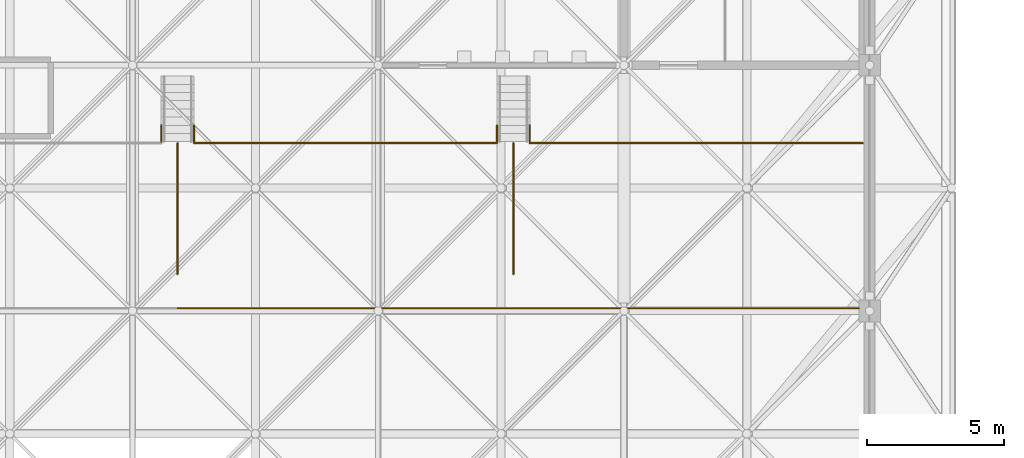
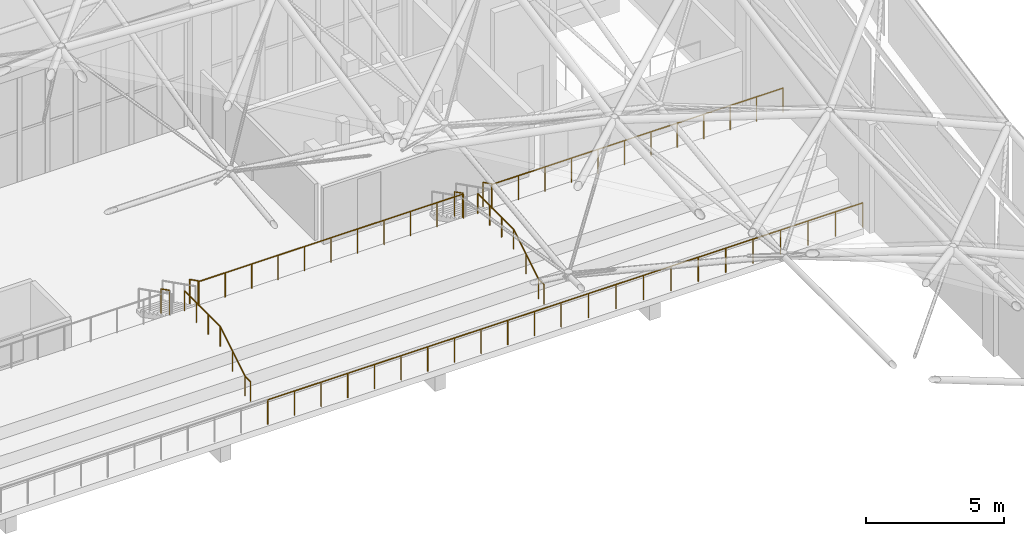
# One storey, part 420 of 437: 10 railings.
"""IFC4 building model written with IfcOpenShell, lengths in metres."""

from ifc_helpers import new_model, si_unit, direction, frame, origin, origin_2d, place, context, subcontext, project, spatial, circle, extrude, material, constituent, constituent_set, type_object, element, save


model = new_model("IFC4")

# Units and contexts
model_context = context("Model", 3, precision=1e-05, world=origin(), true_north=direction((0.0, 1.0)))
body_context = subcontext(model_context, "Body", "Model", "MODEL_VIEW")
ifc_project = project(units=[si_unit("LENGTHUNIT", "METRE"), si_unit("AREAUNIT", "SQUARE_METRE"), si_unit("VOLUMEUNIT", "CUBIC_METRE"), si_unit("PLANEANGLEUNIT", "RADIAN"), si_unit("MASSUNIT", "GRAM", prefix="KILO")], contexts=[model_context])

# Site, building, storey
site_placement = place(None, origin())
site = spatial("IfcSite", under=ifc_project, at=site_placement, CompositionType="ELEMENT")
building_placement = place(site_placement, origin())
building = spatial("IfcBuilding", under=site, at=building_placement, Name="Opaline Strait Convention Centre", CompositionType="ELEMENT")
storey_placement = place(building_placement, frame((0.0, 0.0, 11.5)))
storey = spatial("IfcBuildingStorey", under=building, at=storey_placement, Name="L02", CompositionType="ELEMENT", Elevation=11.5)

# Railings
ifc_material_1 = material(Name="Stainless steel 304", Category="steel")
railing_type_1 = type_object("IfcRailingType", Name="Aisle handrail 900", PredefinedType="HANDRAIL", material=ifc_material_1)
for number, where, name in (
    (1, (46.64990234375, 163.35009765625, 0.25), "PHR1 Upper Circle aisle 3 handrail"),
    (2, (58.949951171875, 163.35009765625, 0.25), "PHR1 Upper Circle aisle 4 handrail"),
):
    element("IfcRailing", number, at=place(storey_placement, frame(where)), inside=storey, type_object=railing_type_1, Name=name, PredefinedType="HANDRAIL", context=body_context, shape_type="SweptSolid", body=[
        extrude(circle(Radius=0.02392578125, at=origin_2d()), frame((0.0, 0.0, 0.8759765625), z_axis=(0.0, 1.0, 0.0), x_axis=(-1.0, 0.0, 0.0)), (0.0, 0.0, 1.0), 0.39990234375),
        extrude(circle(Radius=0.02392578125, at=origin_2d()), frame((0.0, 0.39990234375, 0.8759765625), z_axis=(0.0, 0.851174308656, 0.524883126309), x_axis=(-1.0, 0.0, 0.0)), (0.0, 0.0, 1.0), 1.05712890625),
        extrude(circle(Radius=0.02392578125, at=origin_2d()), frame((0.0, 1.2998046875, 1.4306640625), z_axis=(0.0, 0.849483496517, 0.527615190405), x_axis=(-1.0, 0.0, 0.0)), (0.0, 0.0, 1.0), 1.0595703125),
        extrude(circle(Radius=0.02392578125, at=origin_2d()), frame((0.0, 2.199951171875, 1.98974609375), z_axis=(0.0, 1.0, 0.0), x_axis=(-1.0, 0.0, 0.0)), (0.0, 0.0, 1.0), 2.599853515625),
        extrude(circle(Radius=0.02099609375, at=origin_2d()), origin(), (0.0, 0.0, 1.0), 0.851806640625),
        extrude(circle(Radius=0.02099609375, at=origin_2d()), frame((0.0, 0.39990234375, 0.0)), (0.0, 0.0, 1.0), 0.851806640625),
        extrude(circle(Radius=0.02099609375, at=origin_2d()), frame((0.0, 1.2998046875, 0.554931640625)), (0.0, 0.0, 1.0), 0.851806640625),
        extrude(circle(Radius=0.02099609375, at=origin_2d()), frame((0.0, 2.199951171875, 1.114013671875)), (0.0, 0.0, 1.0), 0.851806640625),
        extrude(circle(Radius=0.02099609375, at=origin_2d()), frame((0.0, 3.066650390625, 1.114013671875)), (0.0, 0.0, 1.0), 0.851806640625),
        extrude(circle(Radius=0.02099609375, at=origin_2d()), frame((0.0, 3.93310546875, 1.114013671875)), (0.0, 0.0, 1.0), 0.851806640625),
        extrude(circle(Radius=0.02099609375, at=origin_2d()), frame((0.0, 4.7998046875, 1.114013671875)), (0.0, 0.0, 1.0), 0.851806640625),
    ])
ifc_material_2 = material(Name="Steel Q355B", Category="steel")
ifc_constituent_1 = constituent(ifc_material_2, Name="Frame")
ifc_material_3 = material(Name="Safety glass, bonded interlayer", Category="glass")
ifc_constituent_2 = constituent(ifc_material_3, Name="Infill")
ifc_constituent_set = constituent_set(constituents=[ifc_constituent_1, ifc_constituent_2], Name="Steel Q355B, Safety glass, bonded interlayer")
railing_type_2 = type_object("IfcRailingType", Name="Seating guard 1100 steel and glass", PredefinedType="GUARDRAIL", material=ifc_constituent_set)
for number, where, name in (
    (3, (46.050048828125, 168.800048828125, 1.060791015625), "PGD1 Upper Circle entry stair 3 guard"),
    (4, (47.25, 168.800048828125, 1.060791015625), "PGD1 Upper Circle entry stair 3 guard"),
    (5, (58.35009765625, 168.800048828125, 1.060791015625), "PGD1 Upper Circle entry stair 4 guard"),
    (6, (59.550048828125, 168.800048828125, 1.060791015625), "PGD1 Upper Circle entry stair 4 guard"),
):
    element("IfcRailing", number, at=place(storey_placement, frame(where)), inside=storey, type_object=railing_type_2, Name=name, PredefinedType="GUARDRAIL", context=body_context, shape_type="SweptSolid", body=[
        extrude(circle(Radius=0.02392578125, at=origin_2d()), frame((0.0, 0.0, 1.076171875), z_axis=(0.0, -0.892531032756, 0.450985981564), x_axis=(1.0, 0.0, 0.0)), (0.0, 0.0, 1.0), 0.67236328125),
        extrude(circle(Radius=0.02099609375, at=origin_2d()), origin(), (0.0, 0.0, 1.0), 1.052001953125),
        extrude(circle(Radius=0.02099609375, at=origin_2d()), frame((0.0, -0.60009765625, 0.30322265625)), (0.0, 0.0, 1.0), 1.052001953125),
    ])
railing_1_placement = place(storey_placement, frame((47.25, 168.14990234375, 1.364013671875)))
element("IfcRailing", 7, at=railing_1_placement, inside=storey, type_object=railing_type_2, Name="PGD1 Upper Circle rear cross aisle guard 4", PredefinedType="GUARDRAIL", context=body_context, shape_type="SweptSolid", body=[
    extrude(circle(Radius=0.02392578125, at=origin_2d()), frame((0.0, 0.0, 1.076171875), z_axis=(1.0, 0.0, 0.0), x_axis=(0.0, 1.0, 0.0)), (0.0, 0.0, 1.0), 11.10009765625),
    extrude(circle(Radius=0.02099609375, at=origin_2d()), origin(), (0.0, 0.0, 1.0), 1.052001953125),
    extrude(circle(Radius=0.02099609375, at=origin_2d()), frame((1.110107421875, 0.0, 0.0)), (0.0, 0.0, 1.0), 1.052001953125),
    extrude(circle(Radius=0.02099609375, at=origin_2d()), frame((2.219970703125, 0.0, 0.0)), (0.0, 0.0, 1.0), 1.052001953125),
    extrude(circle(Radius=0.02099609375, at=origin_2d()), frame((3.330078125, 0.0, 0.0)), (0.0, 0.0, 1.0), 1.052001953125),
    extrude(circle(Radius=0.02099609375, at=origin_2d()), frame((4.43994140625, 0.0, 0.0)), (0.0, 0.0, 1.0), 1.052001953125),
    extrude(circle(Radius=0.02099609375, at=origin_2d()), frame((5.550048828125, 0.0, 0.0)), (0.0, 0.0, 1.0), 1.052001953125),
    extrude(circle(Radius=0.02099609375, at=origin_2d()), frame((6.66015625, 0.0, 0.0)), (0.0, 0.0, 1.0), 1.052001953125),
    extrude(circle(Radius=0.02099609375, at=origin_2d()), frame((7.77001953125, 0.0, 0.0)), (0.0, 0.0, 1.0), 1.052001953125),
    extrude(circle(Radius=0.02099609375, at=origin_2d()), frame((8.880126953125, 0.0, 0.0)), (0.0, 0.0, 1.0), 1.052001953125),
    extrude(circle(Radius=0.02099609375, at=origin_2d()), frame((9.989990234375, 0.0, 0.0)), (0.0, 0.0, 1.0), 1.052001953125),
    extrude(circle(Radius=0.02099609375, at=origin_2d()), frame((11.10009765625, 0.0, 0.0)), (0.0, 0.0, 1.0), 1.052001953125),
])
railing_2_placement = place(storey_placement, frame((59.550048828125, 168.14990234375, 1.364013671875)))
element("IfcRailing", 8, at=railing_2_placement, inside=storey, type_object=railing_type_2, Name="PGD1 Upper Circle rear cross aisle guard 5", PredefinedType="GUARDRAIL", context=body_context, shape_type="SweptSolid", body=[
    extrude(circle(Radius=0.02392578125, at=origin_2d()), frame((0.0, 0.0, 1.076171875), z_axis=(1.0, 0.0, 0.0), x_axis=(0.0, 1.0, 0.0)), (0.0, 0.0, 1.0), 12.199951171875),
    extrude(circle(Radius=0.02099609375, at=origin_2d()), origin(), (0.0, 0.0, 1.0), 1.052001953125),
    extrude(circle(Radius=0.02099609375, at=origin_2d()), frame((1.109130859375, 0.0, 0.0)), (0.0, 0.0, 1.0), 1.052001953125),
    extrude(circle(Radius=0.02099609375, at=origin_2d()), frame((2.21826171875, 0.0, 0.0)), (0.0, 0.0, 1.0), 1.052001953125),
    extrude(circle(Radius=0.02099609375, at=origin_2d()), frame((3.3271484375, 0.0, 0.0)), (0.0, 0.0, 1.0), 1.052001953125),
    extrude(circle(Radius=0.02099609375, at=origin_2d()), frame((4.436279296875, 0.0, 0.0)), (0.0, 0.0, 1.0), 1.052001953125),
    extrude(circle(Radius=0.02099609375, at=origin_2d()), frame((5.54541015625, 0.0, 0.0)), (0.0, 0.0, 1.0), 1.052001953125),
    extrude(circle(Radius=0.02099609375, at=origin_2d()), frame((6.654541015625, 0.0, 0.0)), (0.0, 0.0, 1.0), 1.052001953125),
    extrude(circle(Radius=0.02099609375, at=origin_2d()), frame((7.763671875, 0.0, 0.0)), (0.0, 0.0, 1.0), 1.052001953125),
    extrude(circle(Radius=0.02099609375, at=origin_2d()), frame((8.872802734375, 0.0, 0.0)), (0.0, 0.0, 1.0), 1.052001953125),
    extrude(circle(Radius=0.02099609375, at=origin_2d()), frame((9.981689453125, 0.0, 0.0)), (0.0, 0.0, 1.0), 1.052001953125),
    extrude(circle(Radius=0.02099609375, at=origin_2d()), frame((11.0908203125, 0.0, 0.0)), (0.0, 0.0, 1.0), 1.052001953125),
    extrude(circle(Radius=0.02099609375, at=origin_2d()), frame((12.199951171875, 0.0, 0.0)), (0.0, 0.0, 1.0), 1.052001953125),
])
railing_3_placement = place(storey_placement, frame((46.64990234375, 162.10009765625, 0.0)))
element("IfcRailing", 9, at=railing_3_placement, inside=storey, type_object=railing_type_2, Name="PGD1 Upper Circle front guard 4", PredefinedType="GUARDRAIL", context=body_context, shape_type="SweptSolid", body=[
    extrude(circle(Radius=0.02392578125, at=origin_2d()), frame((0.0, 0.0, 1.076171875), z_axis=(1.0, 0.0, 0.0), x_axis=(0.0, 1.0, 0.0)), (0.0, 0.0, 1.0), 12.300048828125),
    extrude(circle(Radius=0.02099609375, at=origin_2d()), origin(), (0.0, 0.0, 1.0), 1.052001953125),
    extrude(circle(Radius=0.02099609375, at=origin_2d()), frame((1.1181640625, 0.0, 0.0)), (0.0, 0.0, 1.0), 1.052001953125),
    extrude(circle(Radius=0.02099609375, at=origin_2d()), frame((2.236328125, 0.0, 0.0)), (0.0, 0.0, 1.0), 1.052001953125),
    extrude(circle(Radius=0.02099609375, at=origin_2d()), frame((3.3544921875, 0.0, 0.0)), (0.0, 0.0, 1.0), 1.052001953125),
    extrude(circle(Radius=0.02099609375, at=origin_2d()), frame((4.47265625, 0.0, 0.0)), (0.0, 0.0, 1.0), 1.052001953125),
    extrude(circle(Radius=0.02099609375, at=origin_2d()), frame((5.5908203125, 0.0, 0.0)), (0.0, 0.0, 1.0), 1.052001953125),
    extrude(circle(Radius=0.02099609375, at=origin_2d()), frame((6.709228515625, 0.0, 0.0)), (0.0, 0.0, 1.0), 1.052001953125),
    extrude(circle(Radius=0.02099609375, at=origin_2d()), frame((7.827392578125, 0.0, 0.0)), (0.0, 0.0, 1.0), 1.052001953125),
    extrude(circle(Radius=0.02099609375, at=origin_2d()), frame((8.945556640625, 0.0, 0.0)), (0.0, 0.0, 1.0), 1.052001953125),
    extrude(circle(Radius=0.02099609375, at=origin_2d()), frame((10.063720703125, 0.0, 0.0)), (0.0, 0.0, 1.0), 1.052001953125),
    extrude(circle(Radius=0.02099609375, at=origin_2d()), frame((11.181884765625, 0.0, 0.0)), (0.0, 0.0, 1.0), 1.052001953125),
    extrude(circle(Radius=0.02099609375, at=origin_2d()), frame((12.300048828125, 0.0, 0.0)), (0.0, 0.0, 1.0), 1.052001953125),
])
railing_4_placement = place(storey_placement, frame((58.949951171875, 162.10009765625, 0.0)))
element("IfcRailing", 10, at=railing_4_placement, inside=storey, type_object=railing_type_2, Name="PGD1 Upper Circle front guard 5", PredefinedType="GUARDRAIL", context=body_context, shape_type="SweptSolid", body=[
    extrude(circle(Radius=0.02392578125, at=origin_2d()), frame((0.0, 0.0, 1.076171875), z_axis=(1.0, 0.0, 0.0), x_axis=(0.0, 1.0, 0.0)), (0.0, 0.0, 1.0), 12.650146484375),
    extrude(circle(Radius=0.02099609375, at=origin_2d()), origin(), (0.0, 0.0, 1.0), 1.052001953125),
    extrude(circle(Radius=0.02099609375, at=origin_2d()), frame((1.14990234375, 0.0, 0.0)), (0.0, 0.0, 1.0), 1.052001953125),
    extrude(circle(Radius=0.02099609375, at=origin_2d()), frame((2.300048828125, 0.0, 0.0)), (0.0, 0.0, 1.0), 1.052001953125),
    extrude(circle(Radius=0.02099609375, at=origin_2d()), frame((3.449951171875, 0.0, 0.0)), (0.0, 0.0, 1.0), 1.052001953125),
    extrude(circle(Radius=0.02099609375, at=origin_2d()), frame((4.60009765625, 0.0, 0.0)), (0.0, 0.0, 1.0), 1.052001953125),
    extrude(circle(Radius=0.02099609375, at=origin_2d()), frame((5.75, 0.0, 0.0)), (0.0, 0.0, 1.0), 1.052001953125),
    extrude(circle(Radius=0.02099609375, at=origin_2d()), frame((6.900146484375, 0.0, 0.0)), (0.0, 0.0, 1.0), 1.052001953125),
    extrude(circle(Radius=0.02099609375, at=origin_2d()), frame((8.050048828125, 0.0, 0.0)), (0.0, 0.0, 1.0), 1.052001953125),
    extrude(circle(Radius=0.02099609375, at=origin_2d()), frame((9.2001953125, 0.0, 0.0)), (0.0, 0.0, 1.0), 1.052001953125),
    extrude(circle(Radius=0.02099609375, at=origin_2d()), frame((10.35009765625, 0.0, 0.0)), (0.0, 0.0, 1.0), 1.052001953125),
    extrude(circle(Radius=0.02099609375, at=origin_2d()), frame((11.500244140625, 0.0, 0.0)), (0.0, 0.0, 1.0), 1.052001953125),
    extrude(circle(Radius=0.02099609375, at=origin_2d()), frame((12.650146484375, 0.0, 0.0)), (0.0, 0.0, 1.0), 1.052001953125),
])

save(model, "model.ifc")
